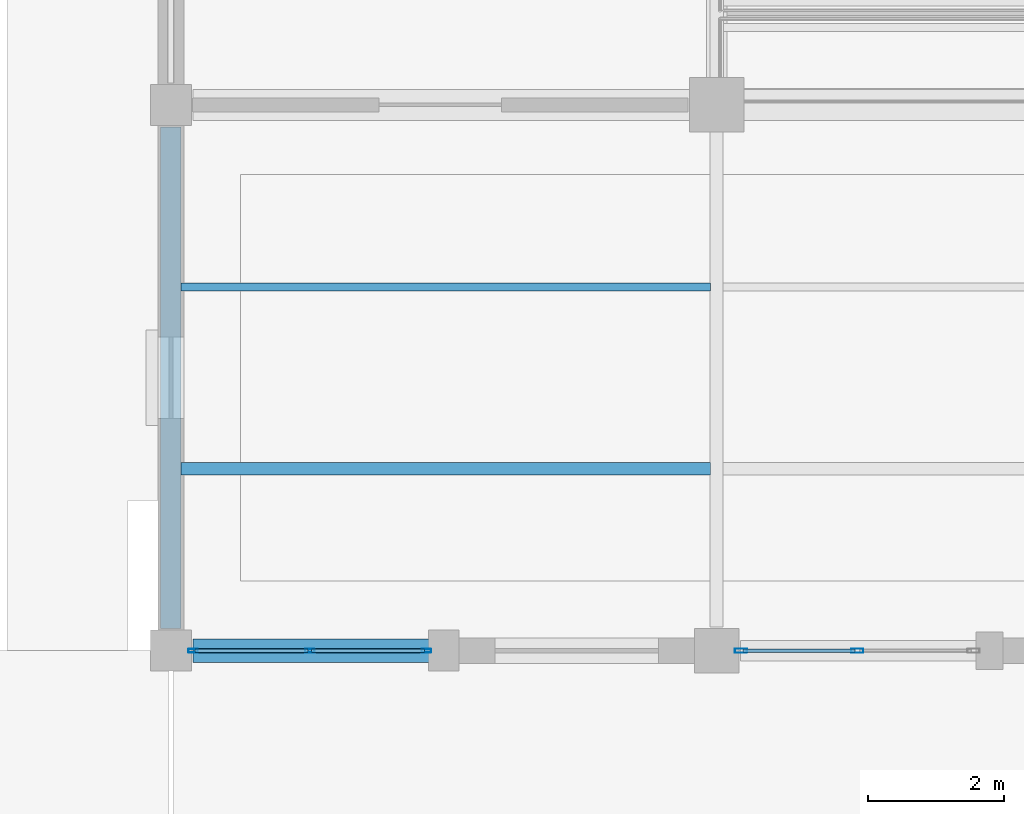
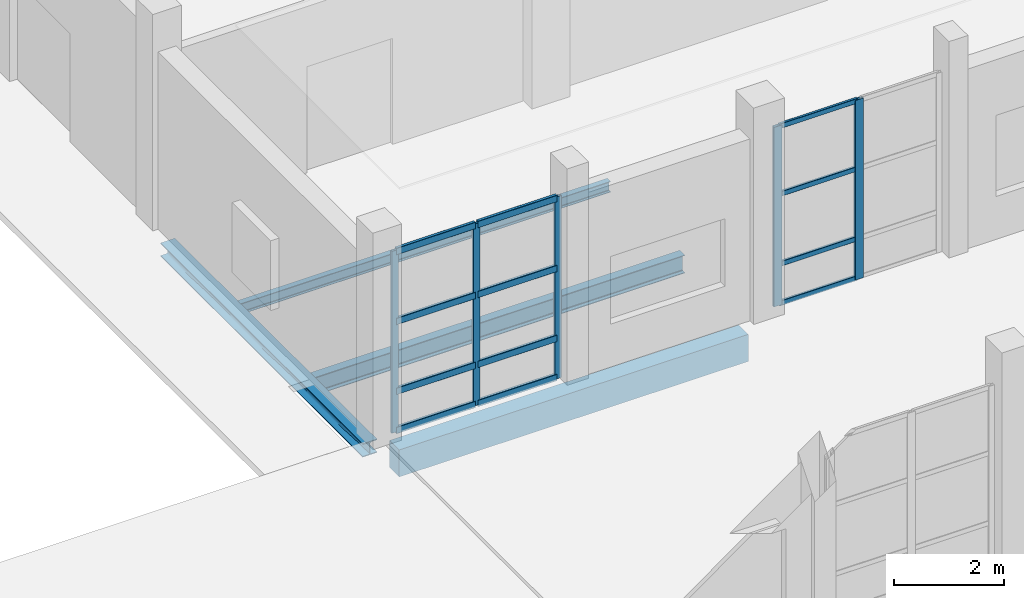
# One storey, part 73 of 156: 17 members, 4 beams, 2 elements without a shape of their own.
"""IFC4 building model written with IfcOpenShell, lengths in metres."""

from ifc_helpers import new_model, si_unit, direction, frame, origin, origin_2d, place, context, subcontext, project, spatial, rectangle, hollow_rectangle, i_section, extrude, material, material_profile, profile_set, type_object, element, aggregate, save


model = new_model("IFC4")

# Units and contexts
model_context = context("Model", 3, precision=1e-05, world=origin(), true_north=direction((0.0, 1.0)))
body_context = subcontext(model_context, "Body", "Model", "MODEL_VIEW")
ifc_project = project(units=[si_unit("LENGTHUNIT", "METRE"), si_unit("AREAUNIT", "SQUARE_METRE"), si_unit("VOLUMEUNIT", "CUBIC_METRE"), si_unit("PLANEANGLEUNIT", "RADIAN"), si_unit("MASSUNIT", "GRAM", prefix="KILO")], contexts=[model_context])

# Site, building, storey
site_placement = place(None, origin())
site = spatial("IfcSite", under=ifc_project, at=site_placement, CompositionType="ELEMENT")
building_placement = place(site_placement, origin())
building = spatial("IfcBuilding", under=site, at=building_placement, Name="Luwemba Playhouse", CompositionType="ELEMENT")
storey_placement = place(building_placement, origin())
storey = spatial("IfcBuildingStorey", under=building, at=storey_placement, Name="L00", CompositionType="ELEMENT", Elevation=0.0)

# Beams
ifc_material_1 = material(Name="Steel S355", Category="steel")
ifc_material_profile_1 = material_profile(ifc_material_1, i_section(OverallWidth=0.1201171875, OverallDepth=0.239990234375, WebThickness=0.006103515625, FlangeThickness=0.009765625, FilletRadius=0.014892578125, at=origin_2d()))
ifc_profile_set_1 = profile_set([ifc_material_profile_1], Name="Steel S355")
beam_type_1 = type_object("IfcBeamType", Name="BM-SJ03", PredefinedType="JOIST", material=ifc_profile_set_1)
beam_1_placement = place(storey_placement, frame((132.14599609375, 41.333251953125, -0.419921875), z_axis=(1.0, 0.0, 0.0), x_axis=(0.0, 1.0, 0.0)))
element("IfcBeam", 1, at=beam_1_placement, inside=storey, type_object=beam_type_1, Name="L00 composite floor joist 0071", PredefinedType="JOIST", context=body_context, shape_type="SweptSolid", body=[
    extrude(i_section(OverallWidth=0.1201171875, OverallDepth=0.239990234375, WebThickness=0.006103515625, FlangeThickness=0.009765625, FilletRadius=0.014892578125, at=origin_2d()), origin(), (0.0, 0.0, 1.0), 7.762939453125),
])
ifc_material_profile_2 = material_profile(ifc_material_1, i_section(OverallWidth=0.179931640625, OverallDepth=0.39990234375, WebThickness=0.008544921875, FlangeThickness=0.013427734375, FilletRadius=0.02099609375, at=origin_2d()))
ifc_profile_set_2 = profile_set([ifc_material_profile_2], Name="Steel S355")
beam_type_2 = type_object("IfcBeamType", Name="BM-SJ08", PredefinedType="JOIST", material=ifc_profile_set_2)
beam_2_placement = place(storey_placement, frame((132.14599609375, 38.666748046875, -0.5), z_axis=(1.0, 0.0, 0.0), x_axis=(0.0, 1.0, 0.0)))
element("IfcBeam", 2, at=beam_2_placement, inside=storey, type_object=beam_type_2, Name="L00 composite floor joist 0070", PredefinedType="JOIST", context=body_context, shape_type="SweptSolid", body=[
    extrude(i_section(OverallWidth=0.179931640625, OverallDepth=0.39990234375, WebThickness=0.008544921875, FlangeThickness=0.013427734375, FilletRadius=0.02099609375, at=origin_2d()), origin(), (0.0, 0.0, 1.0), 7.762939453125),
])
ifc_material_2 = material(Name="Concrete C40/50", Category="concrete")
ifc_material_profile_3 = material_profile(ifc_material_2, rectangle(XDim=0.35009765625, YDim=0.60009765625, at=origin_2d()))
ifc_profile_set_3 = profile_set([ifc_material_profile_3], Name="Concrete C40/50")
beam_type_3 = type_object("IfcBeamType", Name="BM-SP3", PredefinedType="SPANDREL", material=ifc_profile_set_3)
beam_3_placement = place(storey_placement, frame((132.324951171875, 36.0, -0.60009765625), z_axis=(1.0, 0.0, 0.0), x_axis=(0.0, 1.0, 0.0)))
element("IfcBeam", 3, at=beam_3_placement, inside=storey, type_object=beam_type_3, Name="L00 grid girder 0074", PredefinedType="SPANDREL", context=body_context, shape_type="SweptSolid", body=[
    extrude(rectangle(XDim=0.35009765625, YDim=0.60009765625, at=origin_2d()), origin(), (0.0, 0.0, 1.0), 7.324951171875),
])
ifc_material_profile_4 = material_profile(ifc_material_1, i_section(OverallWidth=0.300048828125, OverallDepth=0.300048828125, WebThickness=0.010986328125, FlangeThickness=0.01904296875, FilletRadius=0.027099609375, at=origin_2d()))
ifc_profile_set_4 = profile_set([ifc_material_profile_4], Name="Steel S355")
beam_type_4 = type_object("IfcBeamType", Name="BM-SSP1", PredefinedType="SPANDREL", material=ifc_profile_set_4)
beam_4_placement = place(storey_placement, frame((132.0, 36.324951171875, -0.449951171875), z_axis=(0.0, 1.0, 0.0), x_axis=(-1.0, 0.0, 0.0)))
element("IfcBeam", 4, at=beam_4_placement, inside=storey, type_object=beam_type_4, Name="L00 transverse girder 0094", PredefinedType="SPANDREL", context=body_context, shape_type="SweptSolid", body=[
    extrude(i_section(OverallWidth=0.300048828125, OverallDepth=0.300048828125, WebThickness=0.010986328125, FlangeThickness=0.01904296875, FilletRadius=0.027099609375, at=origin_2d()), origin(), (0.0, 0.0, 1.0), 7.35009765625),
])

# Curtain wall, members
ifc_material_3 = material(Name="Solar-control double glazing", Category="glass")
curtain_wall_type_1 = type_object("IfcCurtainWallType", Name="CW-CW16", PredefinedType="USERDEFINED", material=ifc_material_3)
curtain_wall_1_placement = place(storey_placement, origin())
curtain_wall_1 = element("IfcCurtainWall", 5, at=curtain_wall_1_placement, inside=storey, type_object=curtain_wall_type_1, Name="L00 V3 unitised curtain wall 016", ObjectType="UNITISED GLAZING", PredefinedType="USERDEFINED")
ifc_material_4 = material(Name="Aluminium 6063-T6", Category="aluminium")
ifc_material_profile_5 = material_profile(ifc_material_4, hollow_rectangle(XDim=0.06494140625, YDim=0.179931640625, WallThickness=0.00439453125, InnerFilletRadius=0.0068359375, OuterFilletRadius=0.01123046875, at=origin_2d()))
ifc_profile_set_5 = profile_set([ifc_material_profile_5], Name="Aluminium 6063-T6")
member_type_1 = type_object("IfcMemberType", Name="CWM-M2", PredefinedType="MULLION", material=ifc_profile_set_5)
member_1_placement = place(storey_placement, frame((142.0625, 36.0, 0.0), z_axis=(0.0, 0.0, 1.0), x_axis=(0.0, -1.0, 0.0)))
member_1 = element("IfcMember", 6, at=member_1_placement, type_object=member_type_1, Name="CW16 mullion 2", PredefinedType="MULLION", context=body_context, shape_type="SweptSolid", body=[
    extrude(hollow_rectangle(XDim=0.06494140625, YDim=0.179931640625, WallThickness=0.00439453125, InnerFilletRadius=0.0068359375, OuterFilletRadius=0.01123046875, at=origin_2d()), origin(), (0.0, 0.0, 1.0), 3.985107421875),
])
member_2_placement = place(storey_placement, frame((140.357421875, 36.0, 0.0), z_axis=(0.0, 0.0, 1.0), x_axis=(0.0, -1.0, 0.0)))
member_2 = element("IfcMember", 7, at=member_2_placement, type_object=member_type_1, Name="CW16 mullion 3", PredefinedType="MULLION", context=body_context, shape_type="SweptSolid", body=[
    extrude(hollow_rectangle(XDim=0.06494140625, YDim=0.179931640625, WallThickness=0.00439453125, InnerFilletRadius=0.0068359375, OuterFilletRadius=0.01123046875, at=origin_2d()), origin(), (0.0, 0.0, 1.0), 3.985107421875),
])

curtain_wall_type_2 = type_object("IfcCurtainWallType", Name="CW-CW17", PredefinedType="USERDEFINED", material=ifc_material_3)
curtain_wall_2_placement = place(storey_placement, origin())
curtain_wall_2 = element("IfcCurtainWall", 8, at=curtain_wall_2_placement, inside=storey, type_object=curtain_wall_type_2, Name="L00 V3 unitised curtain wall 017", ObjectType="UNITISED GLAZING", PredefinedType="USERDEFINED")
ifc_material_profile_6 = material_profile(ifc_material_4, hollow_rectangle(XDim=0.054931640625, YDim=0.139892578125, WallThickness=0.00390625, InnerFilletRadius=0.006103515625, OuterFilletRadius=0.010009765625, at=origin_2d()))
ifc_profile_set_6 = profile_set([ifc_material_profile_6], Name="Aluminium 6063-T6")
member_type_2 = type_object("IfcMemberType", Name="CWM-M3", PredefinedType="MULLION", material=ifc_profile_set_6)
member_3_placement = place(storey_placement, frame((135.74755859375, 36.0, 0.0), z_axis=(0.0, 0.0, 1.0), x_axis=(0.0, -1.0, 0.0)))
member_3 = element("IfcMember", 9, at=member_3_placement, type_object=member_type_2, Name="CW17 mullion 1", PredefinedType="MULLION", context=body_context, shape_type="SweptSolid", body=[
    extrude(hollow_rectangle(XDim=0.054931640625, YDim=0.139892578125, WallThickness=0.00390625, InnerFilletRadius=0.006103515625, OuterFilletRadius=0.010009765625, at=origin_2d()), origin(), (0.0, 0.0, 1.0), 4.034912109375),
])
member_4_placement = place(storey_placement, frame((134.03759765625, 36.0, 0.0), z_axis=(0.0, 0.0, 1.0), x_axis=(0.0, -1.0, 0.0)))
member_4 = element("IfcMember", 10, at=member_4_placement, type_object=member_type_2, Name="CW17 mullion 2", PredefinedType="MULLION", context=body_context, shape_type="SweptSolid", body=[
    extrude(hollow_rectangle(XDim=0.054931640625, YDim=0.139892578125, WallThickness=0.00390625, InnerFilletRadius=0.006103515625, OuterFilletRadius=0.010009765625, at=origin_2d()), origin(), (0.0, 0.0, 1.0), 4.034912109375),
])
member_5_placement = place(storey_placement, frame((132.327392578125, 36.0, 0.0), z_axis=(0.0, 0.0, 1.0), x_axis=(0.0, -1.0, 0.0)))
member_5 = element("IfcMember", 11, at=member_5_placement, type_object=member_type_2, Name="CW17 mullion 3", PredefinedType="MULLION", context=body_context, shape_type="SweptSolid", body=[
    extrude(hollow_rectangle(XDim=0.054931640625, YDim=0.139892578125, WallThickness=0.00390625, InnerFilletRadius=0.006103515625, OuterFilletRadius=0.010009765625, at=origin_2d()), origin(), (0.0, 0.0, 1.0), 4.034912109375),
])

# Member
ifc_material_profile_7 = material_profile(ifc_material_4, hollow_rectangle(XDim=0.054931640625, YDim=0.110107421875, WallThickness=0.00341796875, InnerFilletRadius=0.00537109375, OuterFilletRadius=0.0087890625, at=origin_2d()))
ifc_profile_set_7 = profile_set([ifc_material_profile_7], Name="Aluminium 6063-T6")
member_type_3 = type_object("IfcMemberType", Name="CWT-T2", PredefinedType="USERDEFINED", material=ifc_profile_set_7)
member_6_placement = place(storey_placement, frame((142.030029296875, 36.0, 0.027587890625), z_axis=(-1.0, 0.0, 0.0), x_axis=(0.0, -1.0, 0.0)))
member_6 = element("IfcMember", 12, at=member_6_placement, type_object=member_type_3, Name="CW16 transom 2.1", ObjectType="TRANSOM", PredefinedType="USERDEFINED", context=body_context, shape_type="SweptSolid", body=[
    extrude(hollow_rectangle(XDim=0.054931640625, YDim=0.110107421875, WallThickness=0.00341796875, InnerFilletRadius=0.00537109375, OuterFilletRadius=0.0087890625, at=origin_2d()), origin(), (0.0, 0.0, 1.0), 1.64013671875),
])

member_7_placement = place(storey_placement, frame((142.030029296875, 36.0, 0.89990234375), z_axis=(-1.0, 0.0, 0.0), x_axis=(0.0, -1.0, 0.0)))
member_7 = element("IfcMember", 13, at=member_7_placement, type_object=member_type_3, Name="CW16 transom 2.2", ObjectType="TRANSOM", PredefinedType="USERDEFINED", context=body_context, shape_type="SweptSolid", body=[
    extrude(hollow_rectangle(XDim=0.054931640625, YDim=0.110107421875, WallThickness=0.00341796875, InnerFilletRadius=0.00537109375, OuterFilletRadius=0.0087890625, at=origin_2d()), origin(), (0.0, 0.0, 1.0), 1.64013671875),
])

member_8_placement = place(storey_placement, frame((142.030029296875, 36.0, 2.449951171875), z_axis=(-1.0, 0.0, 0.0), x_axis=(0.0, -1.0, 0.0)))
member_8 = element("IfcMember", 14, at=member_8_placement, type_object=member_type_3, Name="CW16 transom 2.3", ObjectType="TRANSOM", PredefinedType="USERDEFINED", context=body_context, shape_type="SweptSolid", body=[
    extrude(hollow_rectangle(XDim=0.054931640625, YDim=0.110107421875, WallThickness=0.00341796875, InnerFilletRadius=0.00537109375, OuterFilletRadius=0.0087890625, at=origin_2d()), origin(), (0.0, 0.0, 1.0), 1.64013671875),
])

member_9_placement = place(storey_placement, frame((142.030029296875, 36.0, 3.95751953125), z_axis=(-1.0, 0.0, 0.0), x_axis=(0.0, -1.0, 0.0)))
member_9 = element("IfcMember", 15, at=member_9_placement, type_object=member_type_3, Name="CW16 transom 2.4", ObjectType="TRANSOM", PredefinedType="USERDEFINED", context=body_context, shape_type="SweptSolid", body=[
    extrude(hollow_rectangle(XDim=0.054931640625, YDim=0.110107421875, WallThickness=0.00341796875, InnerFilletRadius=0.00537109375, OuterFilletRadius=0.0087890625, at=origin_2d()), origin(), (0.0, 0.0, 1.0), 1.64013671875),
])

aggregate(curtain_wall_1, [member_1, member_2, member_6, member_7, member_8, member_9])

ifc_material_profile_8 = material_profile(ifc_material_4, hollow_rectangle(XDim=0.06494140625, YDim=0.14990234375, WallThickness=0.00390625, InnerFilletRadius=0.006103515625, OuterFilletRadius=0.010009765625, at=origin_2d()))
ifc_profile_set_8 = profile_set([ifc_material_profile_8], Name="Aluminium 6063-T6")
member_type_4 = type_object("IfcMemberType", Name="CWT-T3", PredefinedType="USERDEFINED", material=ifc_profile_set_8)
member_10_placement = place(storey_placement, frame((135.719970703125, 36.0, 0.032470703125), z_axis=(-1.0, 0.0, 0.0), x_axis=(0.0, -1.0, 0.0)))
member_10 = element("IfcMember", 16, at=member_10_placement, type_object=member_type_4, Name="CW17 transom 1.1", ObjectType="TRANSOM", PredefinedType="USERDEFINED", context=body_context, shape_type="SweptSolid", body=[
    extrude(hollow_rectangle(XDim=0.06494140625, YDim=0.14990234375, WallThickness=0.00390625, InnerFilletRadius=0.006103515625, OuterFilletRadius=0.010009765625, at=origin_2d()), origin(), (0.0, 0.0, 1.0), 1.655029296875),
])

member_11_placement = place(storey_placement, frame((135.719970703125, 36.0, 0.89990234375), z_axis=(-1.0, 0.0, 0.0), x_axis=(0.0, -1.0, 0.0)))
member_11 = element("IfcMember", 17, at=member_11_placement, type_object=member_type_4, Name="CW17 transom 1.2", ObjectType="TRANSOM", PredefinedType="USERDEFINED", context=body_context, shape_type="SweptSolid", body=[
    extrude(hollow_rectangle(XDim=0.06494140625, YDim=0.14990234375, WallThickness=0.00390625, InnerFilletRadius=0.006103515625, OuterFilletRadius=0.010009765625, at=origin_2d()), origin(), (0.0, 0.0, 1.0), 1.655029296875),
])

member_12_placement = place(storey_placement, frame((135.719970703125, 36.0, 2.449951171875), z_axis=(-1.0, 0.0, 0.0), x_axis=(0.0, -1.0, 0.0)))
member_12 = element("IfcMember", 18, at=member_12_placement, type_object=member_type_4, Name="CW17 transom 1.3", ObjectType="TRANSOM", PredefinedType="USERDEFINED", context=body_context, shape_type="SweptSolid", body=[
    extrude(hollow_rectangle(XDim=0.06494140625, YDim=0.14990234375, WallThickness=0.00390625, InnerFilletRadius=0.006103515625, OuterFilletRadius=0.010009765625, at=origin_2d()), origin(), (0.0, 0.0, 1.0), 1.655029296875),
])

member_13_placement = place(storey_placement, frame((135.719970703125, 36.0, 4.00244140625), z_axis=(-1.0, 0.0, 0.0), x_axis=(0.0, -1.0, 0.0)))
member_13 = element("IfcMember", 19, at=member_13_placement, type_object=member_type_4, Name="CW17 transom 1.4", ObjectType="TRANSOM", PredefinedType="USERDEFINED", context=body_context, shape_type="SweptSolid", body=[
    extrude(hollow_rectangle(XDim=0.06494140625, YDim=0.14990234375, WallThickness=0.00390625, InnerFilletRadius=0.006103515625, OuterFilletRadius=0.010009765625, at=origin_2d()), origin(), (0.0, 0.0, 1.0), 1.655029296875),
])

member_14_placement = place(storey_placement, frame((134.010009765625, 36.0, 0.032470703125), z_axis=(-1.0, 0.0, 0.0), x_axis=(0.0, -1.0, 0.0)))
member_14 = element("IfcMember", 20, at=member_14_placement, type_object=member_type_4, Name="CW17 transom 2.1", ObjectType="TRANSOM", PredefinedType="USERDEFINED", context=body_context, shape_type="SweptSolid", body=[
    extrude(hollow_rectangle(XDim=0.06494140625, YDim=0.14990234375, WallThickness=0.00390625, InnerFilletRadius=0.006103515625, OuterFilletRadius=0.010009765625, at=origin_2d()), origin(), (0.0, 0.0, 1.0), 1.655029296875),
])

member_15_placement = place(storey_placement, frame((134.010009765625, 36.0, 0.89990234375), z_axis=(-1.0, 0.0, 0.0), x_axis=(0.0, -1.0, 0.0)))
member_15 = element("IfcMember", 21, at=member_15_placement, type_object=member_type_4, Name="CW17 transom 2.2", ObjectType="TRANSOM", PredefinedType="USERDEFINED", context=body_context, shape_type="SweptSolid", body=[
    extrude(hollow_rectangle(XDim=0.06494140625, YDim=0.14990234375, WallThickness=0.00390625, InnerFilletRadius=0.006103515625, OuterFilletRadius=0.010009765625, at=origin_2d()), origin(), (0.0, 0.0, 1.0), 1.655029296875),
])

member_16_placement = place(storey_placement, frame((134.010009765625, 36.0, 2.449951171875), z_axis=(-1.0, 0.0, 0.0), x_axis=(0.0, -1.0, 0.0)))
member_16 = element("IfcMember", 22, at=member_16_placement, type_object=member_type_4, Name="CW17 transom 2.3", ObjectType="TRANSOM", PredefinedType="USERDEFINED", context=body_context, shape_type="SweptSolid", body=[
    extrude(hollow_rectangle(XDim=0.06494140625, YDim=0.14990234375, WallThickness=0.00390625, InnerFilletRadius=0.006103515625, OuterFilletRadius=0.010009765625, at=origin_2d()), origin(), (0.0, 0.0, 1.0), 1.655029296875),
])

member_17_placement = place(storey_placement, frame((134.010009765625, 36.0, 4.00244140625), z_axis=(-1.0, 0.0, 0.0), x_axis=(0.0, -1.0, 0.0)))
member_17 = element("IfcMember", 23, at=member_17_placement, type_object=member_type_4, Name="CW17 transom 2.4", ObjectType="TRANSOM", PredefinedType="USERDEFINED", context=body_context, shape_type="SweptSolid", body=[
    extrude(hollow_rectangle(XDim=0.06494140625, YDim=0.14990234375, WallThickness=0.00390625, InnerFilletRadius=0.006103515625, OuterFilletRadius=0.010009765625, at=origin_2d()), origin(), (0.0, 0.0, 1.0), 1.655029296875),
])

aggregate(curtain_wall_2, [member_3, member_4, member_5, member_10, member_11, member_12, member_13, member_14, member_15, member_16, member_17])

save(model, "model.ifc")
